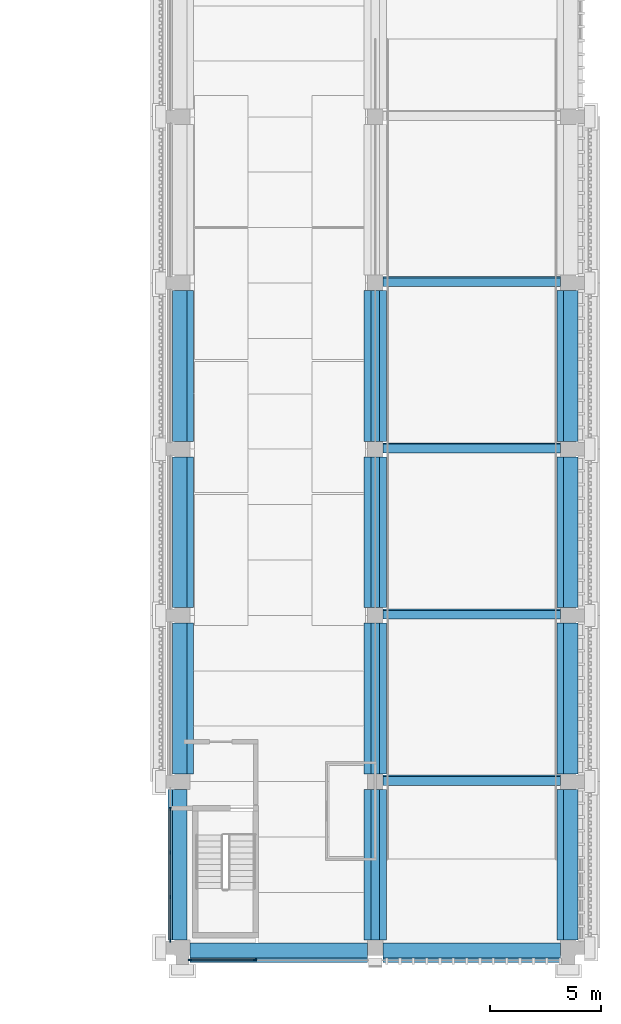
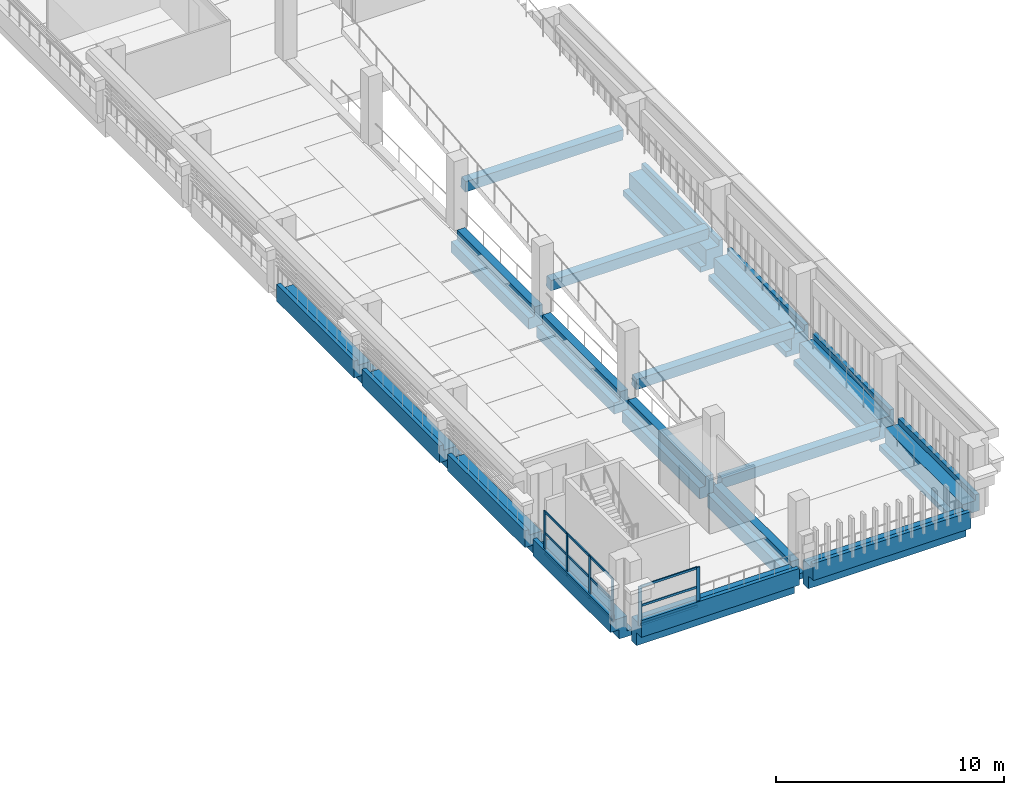
# One storey, part 4 of 25: 18 beams, 18 members, 2 elements without a shape of their own.
"""IFC4 building model written with IfcOpenShell, lengths in metres."""

from ifc_helpers import new_model, si_unit, direction, frame, origin, origin_2d, place, context, subcontext, project, spatial, polyline, rectangle, outline, extrude, material, layer, layer_set, material_profile, profile_set, type_object, element, aggregate, save


model = new_model("IFC4")

# Units and contexts
model_context = context("Model", 3, precision=1e-05, world=origin(), true_north=direction((0.0, 1.0)))
body_context = subcontext(model_context, "Body", "Model", "MODEL_VIEW")
ifc_project = project(units=[si_unit("LENGTHUNIT", "METRE"), si_unit("AREAUNIT", "SQUARE_METRE"), si_unit("VOLUMEUNIT", "CUBIC_METRE"), si_unit("PLANEANGLEUNIT", "RADIAN"), si_unit("MASSUNIT", "GRAM", prefix="KILO")], contexts=[model_context])

# Site, building, storey
site_placement = place(None, origin())
site = spatial("IfcSite", under=ifc_project, at=site_placement, CompositionType="ELEMENT")
building_placement = place(site_placement, origin())
building = spatial("IfcBuilding", under=site, at=building_placement, Name="Cour d'Honneur Mobility Palace", CompositionType="ELEMENT")
storey_placement = place(building_placement, frame((0.0, 0.0, 30.39990234375)))
storey = spatial("IfcBuildingStorey", under=building, at=storey_placement, Name="L08", CompositionType="ELEMENT", Elevation=30.39990234375)

# Curtain wall, members
ifc_material_1 = material(Name="Aluminium and glass", Category="aluminium")
ifc_layer = layer(ifc_material_1, 0.10009765625)
ifc_layer_set = layer_set([ifc_layer], Name="Aluminium and glass")
curtain_wall_type = type_object("IfcCurtainWallType", Name="Curtain wall run", PredefinedType="NOTDEFINED", material=ifc_layer_set)
curtain_wall_1_placement = place(storey_placement, origin())
curtain_wall_1 = element("IfcCurtainWall", 1, at=curtain_wall_1_placement, inside=storey, type_object=curtain_wall_type, Name="Curtain wall CW-149", PredefinedType="NOTDEFINED")
ifc_material_2 = material(Name="Aluminium", Category="aluminium")
ifc_material_profile_1 = material_profile(ifc_material_2, rectangle(XDim=0.06005859375, YDim=0.159912109375, at=origin_2d()), Name="Curtain wall mullion")
ifc_profile_set_1 = profile_set([ifc_material_profile_1], Name="Aluminium")
member_type_1 = type_object("IfcMemberType", Name="Curtain wall mullion", PredefinedType="MULLION", material=ifc_profile_set_1)
member_1_placement = place(storey_placement, frame((145.22998046875, -0.550048828125, 0.0), z_axis=(0.0, 0.0, 1.0), x_axis=(0.0, 1.0, 0.0)))
member_1 = element("IfcMember", 2, at=member_1_placement, type_object=member_type_1, Name="CW-149 mullion 1", PredefinedType="MULLION", context=body_context, shape_type="SweptSolid", body=[
    extrude(rectangle(XDim=0.06005859375, YDim=0.159912109375, at=origin_2d()), origin(), (0.0, 0.0, 1.0), 2.10009765625),
])
member_2_placement = place(storey_placement, frame((148.169921875, -0.550048828125, 0.0), z_axis=(0.0, 0.0, 1.0), x_axis=(0.0, 1.0, 0.0)))
member_2 = element("IfcMember", 3, at=member_2_placement, type_object=member_type_1, Name="CW-149 mullion 2", PredefinedType="MULLION", context=body_context, shape_type="SweptSolid", body=[
    extrude(rectangle(XDim=0.06005859375, YDim=0.159912109375, at=origin_2d()), origin(), (0.0, 0.0, 1.0), 2.10009765625),
])

curtain_wall_2_placement = place(storey_placement, origin())
curtain_wall_2 = element("IfcCurtainWall", 4, at=curtain_wall_2_placement, inside=storey, type_object=curtain_wall_type, Name="Curtain wall CW-150", PredefinedType="NOTDEFINED")
member_3_placement = place(storey_placement, frame((144.35009765625, 6.27001953125, 0.0), z_axis=(0.0, 0.0, 1.0), x_axis=(1.0, 0.0, 0.0)))
member_3 = element("IfcMember", 5, at=member_3_placement, type_object=member_type_1, Name="CW-150 mullion 1", PredefinedType="MULLION", context=body_context, shape_type="SweptSolid", body=[
    extrude(rectangle(XDim=0.06005859375, YDim=0.159912109375, at=origin_2d()), origin(), (0.0, 0.0, 1.0), 2.300048828125),
])
member_4_placement = place(storey_placement, frame((144.35009765625, 4.300048828125, 0.0), z_axis=(0.0, 0.0, 1.0), x_axis=(1.0, 0.0, 0.0)))
member_4 = element("IfcMember", 6, at=member_4_placement, type_object=member_type_1, Name="CW-150 mullion 2", PredefinedType="MULLION", context=body_context, shape_type="SweptSolid", body=[
    extrude(rectangle(XDim=0.06005859375, YDim=0.159912109375, at=origin_2d()), origin(), (0.0, 0.0, 1.0), 2.300048828125),
])
member_5_placement = place(storey_placement, frame((144.35009765625, 2.300048828125, 0.0), z_axis=(0.0, 0.0, 1.0), x_axis=(1.0, 0.0, 0.0)))
member_5 = element("IfcMember", 7, at=member_5_placement, type_object=member_type_1, Name="CW-150 mullion 3", PredefinedType="MULLION", context=body_context, shape_type="SweptSolid", body=[
    extrude(rectangle(XDim=0.06005859375, YDim=0.159912109375, at=origin_2d()), origin(), (0.0, 0.0, 1.0), 2.300048828125),
])
member_6_placement = place(storey_placement, frame((144.35009765625, 0.330078125, 0.0), z_axis=(0.0, 0.0, 1.0), x_axis=(1.0, 0.0, 0.0)))
member_6 = element("IfcMember", 8, at=member_6_placement, type_object=member_type_1, Name="CW-150 mullion 4", PredefinedType="MULLION", context=body_context, shape_type="SweptSolid", body=[
    extrude(rectangle(XDim=0.06005859375, YDim=0.159912109375, at=origin_2d()), origin(), (0.0, 0.0, 1.0), 2.300048828125),
])

# Member
ifc_material_3 = material(Name="Aluminium", Category="aluminium")
ifc_material_profile_2 = material_profile(ifc_material_3, rectangle(XDim=0.06005859375, YDim=0.1201171875, at=origin_2d()), Name="Curtain wall transom")
ifc_profile_set_2 = profile_set([ifc_material_profile_2], Name="Aluminium")
member_type_2 = type_object("IfcMemberType", Name="Curtain wall transom", PredefinedType="USERDEFINED", material=ifc_profile_set_2)
member_7_placement = place(storey_placement, frame((145.260009765625, -0.550048828125, 0.030029296875), z_axis=(1.0, 0.0, 0.0), x_axis=(0.0, 1.0, 0.0)))
member_7 = element("IfcMember", 9, at=member_7_placement, type_object=member_type_2, Name="CW-149 transom 1.1", ObjectType="TRANSOM", PredefinedType="USERDEFINED", context=body_context, shape_type="SweptSolid", body=[
    extrude(rectangle(XDim=0.06005859375, YDim=0.1201171875, at=origin_2d()), origin(), (0.0, 0.0, 1.0), 2.8798828125),
])

member_8_placement = place(storey_placement, frame((145.260009765625, -0.550048828125, 1.050048828125), z_axis=(1.0, 0.0, 0.0), x_axis=(0.0, 1.0, 0.0)))
member_8 = element("IfcMember", 10, at=member_8_placement, type_object=member_type_2, Name="CW-149 transom 1.2", ObjectType="TRANSOM", PredefinedType="USERDEFINED", context=body_context, shape_type="SweptSolid", body=[
    extrude(rectangle(XDim=0.06005859375, YDim=0.1201171875, at=origin_2d()), origin(), (0.0, 0.0, 1.0), 2.8798828125),
])

member_9_placement = place(storey_placement, frame((145.260009765625, -0.550048828125, 2.070068359375), z_axis=(1.0, 0.0, 0.0), x_axis=(0.0, 1.0, 0.0)))
member_9 = element("IfcMember", 11, at=member_9_placement, type_object=member_type_2, Name="CW-149 transom 1.3", ObjectType="TRANSOM", PredefinedType="USERDEFINED", context=body_context, shape_type="SweptSolid", body=[
    extrude(rectangle(XDim=0.06005859375, YDim=0.1201171875, at=origin_2d()), origin(), (0.0, 0.0, 1.0), 2.8798828125),
])

aggregate(curtain_wall_1, [member_1, member_2, member_7, member_8, member_9])

member_10_placement = place(storey_placement, frame((144.35009765625, 6.239990234375, 0.030029296875), z_axis=(0.0, -1.0, 0.0), x_axis=(1.0, 0.0, 0.0)))
member_10 = element("IfcMember", 12, at=member_10_placement, type_object=member_type_2, Name="CW-150 transom 1.1", ObjectType="TRANSOM", PredefinedType="USERDEFINED", context=body_context, shape_type="SweptSolid", body=[
    extrude(rectangle(XDim=0.06005859375, YDim=0.1201171875, at=origin_2d()), origin(), (0.0, 0.0, 1.0), 1.909912109375),
])

member_11_placement = place(storey_placement, frame((144.35009765625, 6.239990234375, 1.150146484375), z_axis=(0.0, -1.0, 0.0), x_axis=(1.0, 0.0, 0.0)))
member_11 = element("IfcMember", 13, at=member_11_placement, type_object=member_type_2, Name="CW-150 transom 1.2", ObjectType="TRANSOM", PredefinedType="USERDEFINED", context=body_context, shape_type="SweptSolid", body=[
    extrude(rectangle(XDim=0.06005859375, YDim=0.1201171875, at=origin_2d()), origin(), (0.0, 0.0, 1.0), 1.909912109375),
])

member_12_placement = place(storey_placement, frame((144.35009765625, 6.239990234375, 2.27001953125), z_axis=(0.0, -1.0, 0.0), x_axis=(1.0, 0.0, 0.0)))
member_12 = element("IfcMember", 14, at=member_12_placement, type_object=member_type_2, Name="CW-150 transom 1.3", ObjectType="TRANSOM", PredefinedType="USERDEFINED", context=body_context, shape_type="SweptSolid", body=[
    extrude(rectangle(XDim=0.06005859375, YDim=0.1201171875, at=origin_2d()), origin(), (0.0, 0.0, 1.0), 1.909912109375),
])

member_13_placement = place(storey_placement, frame((144.35009765625, 4.27001953125, 0.030029296875), z_axis=(0.0, -1.0, 0.0), x_axis=(1.0, 0.0, 0.0)))
member_13 = element("IfcMember", 15, at=member_13_placement, type_object=member_type_2, Name="CW-150 transom 2.1", ObjectType="TRANSOM", PredefinedType="USERDEFINED", context=body_context, shape_type="SweptSolid", body=[
    extrude(rectangle(XDim=0.06005859375, YDim=0.1201171875, at=origin_2d()), origin(), (0.0, 0.0, 1.0), 1.93994140625),
])

member_14_placement = place(storey_placement, frame((144.35009765625, 4.27001953125, 1.150146484375), z_axis=(0.0, -1.0, 0.0), x_axis=(1.0, 0.0, 0.0)))
member_14 = element("IfcMember", 16, at=member_14_placement, type_object=member_type_2, Name="CW-150 transom 2.2", ObjectType="TRANSOM", PredefinedType="USERDEFINED", context=body_context, shape_type="SweptSolid", body=[
    extrude(rectangle(XDim=0.06005859375, YDim=0.1201171875, at=origin_2d()), origin(), (0.0, 0.0, 1.0), 1.93994140625),
])

member_15_placement = place(storey_placement, frame((144.35009765625, 4.27001953125, 2.27001953125), z_axis=(0.0, -1.0, 0.0), x_axis=(1.0, 0.0, 0.0)))
member_15 = element("IfcMember", 17, at=member_15_placement, type_object=member_type_2, Name="CW-150 transom 2.3", ObjectType="TRANSOM", PredefinedType="USERDEFINED", context=body_context, shape_type="SweptSolid", body=[
    extrude(rectangle(XDim=0.06005859375, YDim=0.1201171875, at=origin_2d()), origin(), (0.0, 0.0, 1.0), 1.93994140625),
])

member_16_placement = place(storey_placement, frame((144.35009765625, 2.27001953125, 0.030029296875), z_axis=(0.0, -1.0, 0.0), x_axis=(1.0, 0.0, 0.0)))
member_16 = element("IfcMember", 18, at=member_16_placement, type_object=member_type_2, Name="CW-150 transom 3.1", ObjectType="TRANSOM", PredefinedType="USERDEFINED", context=body_context, shape_type="SweptSolid", body=[
    extrude(rectangle(XDim=0.06005859375, YDim=0.1201171875, at=origin_2d()), origin(), (0.0, 0.0, 1.0), 1.909912109375),
])

member_17_placement = place(storey_placement, frame((144.35009765625, 2.27001953125, 1.150146484375), z_axis=(0.0, -1.0, 0.0), x_axis=(1.0, 0.0, 0.0)))
member_17 = element("IfcMember", 19, at=member_17_placement, type_object=member_type_2, Name="CW-150 transom 3.2", ObjectType="TRANSOM", PredefinedType="USERDEFINED", context=body_context, shape_type="SweptSolid", body=[
    extrude(rectangle(XDim=0.06005859375, YDim=0.1201171875, at=origin_2d()), origin(), (0.0, 0.0, 1.0), 1.909912109375),
])

member_18_placement = place(storey_placement, frame((144.35009765625, 2.27001953125, 2.27001953125), z_axis=(0.0, -1.0, 0.0), x_axis=(1.0, 0.0, 0.0)))
member_18 = element("IfcMember", 20, at=member_18_placement, type_object=member_type_2, Name="CW-150 transom 3.3", ObjectType="TRANSOM", PredefinedType="USERDEFINED", context=body_context, shape_type="SweptSolid", body=[
    extrude(rectangle(XDim=0.06005859375, YDim=0.1201171875, at=origin_2d()), origin(), (0.0, 0.0, 1.0), 1.909912109375),
])

aggregate(curtain_wall_2, [member_3, member_4, member_5, member_6, member_10, member_11, member_12, member_13, member_14, member_15, member_16, member_17, member_18])

# Beams
ifc_material_4 = material(Name="Concrete C45", Category="concrete")
ifc_material_profile_3 = material_profile(ifc_material_4, outline(polyline([(0.22509765625, -1.300048828125), (0.22509765625, 0.0), (-0.22509765625, 0.0), (-0.449951171875, 0.0), (-0.449951171875, 0.300048828125), (-0.64990234375, 0.300048828125), (-0.64990234375, -0.60009765625), (-0.22509765625, -0.60009765625), (-0.22509765625, -1.300048828125), (0.22509765625, -1.300048828125)])), Name="Edge Spandrel Beam 450x1300 no ledge facade right")
ifc_profile_set_3 = profile_set([ifc_material_profile_3], Name="Concrete C45")
beam_type_1 = type_object("IfcBeamType", Name="Edge Spandrel Beam 450x1300 no ledge facade right", PredefinedType="SPANDREL", material=ifc_profile_set_3)
for number, where, z_axis, x_axis, name in (
    (21, (145.25, 0.0, 0.0), (1.0, 0.0, 0.0), (0.0, 1.0, 0.0), "Precast beam B1 19-19A L08"),
    (22, (153.949951171875, 0.0, 0.0), (1.0, 0.0, 0.0), (0.0, 1.0, 0.0), "Precast beam B1 19A-20 L08"),
):
    element("IfcBeam", number, at=place(storey_placement, frame(where, z_axis=z_axis, x_axis=x_axis)), inside=storey, type_object=beam_type_1, Name=name, PredefinedType="SPANDREL", context=body_context, shape_type="SweptSolid", body=[
        extrude(outline(polyline([(0.22509765625, -1.300048828125), (0.22509765625, 0.0), (-0.22509765625, 0.0), (-0.449951171875, 0.0), (-0.449951171875, 0.300048828125), (-0.64990234375, 0.300048828125), (-0.64990234375, -0.60009765625), (-0.22509765625, -0.60009765625), (-0.22509765625, -1.300048828125), (0.22509765625, -1.300048828125)])), origin(), (0.0, 0.0, 1.0), 8.0),
    ])
ifc_material_5 = material(Name="Concrete C45", Category="concrete")
ifc_material_profile_4 = material_profile(ifc_material_5, outline(polyline([(0.5, -1.10009765625), (0.5, -0.5), (0.199951171875, -0.5), (0.199951171875, 0.0), (-0.199951171875, 0.0), (-0.199951171875, -0.800048828125), (-0.5, -0.800048828125), (-0.5, -1.10009765625), (0.5, -1.10009765625)])), Name="Inverted Tee Beam 400x1100 ledges 600/300 plain")
ifc_profile_set_4 = profile_set([ifc_material_profile_4], Name="Concrete C45")
beam_type_2 = type_object("IfcBeamType", Name="Inverted Tee Beam 400x1100 ledges 600/300 plain", PredefinedType="T_BEAM", material=ifc_profile_set_4)
for number, where, z_axis, x_axis, name in (
    (23, (153.60009765625, 7.85009765625, 0.0), (0.0, 1.0, 0.0), (-1.0, 0.0, 0.0), "Precast beam B19 B-C L08"),
    (24, (153.60009765625, 15.35009765625, 0.0), (0.0, 1.0, 0.0), (-1.0, 0.0, 0.0), "Precast beam B19 C-D L08"),
    (25, (153.60009765625, 22.85009765625, 0.0), (0.0, 1.0, 0.0), (-1.0, 0.0, 0.0), "Precast beam B19 D-E L08"),
):
    element("IfcBeam", number, at=place(storey_placement, frame(where, z_axis=z_axis, x_axis=x_axis)), inside=storey, type_object=beam_type_2, Name=name, PredefinedType="T_BEAM", context=body_context, shape_type="SweptSolid", body=[
        extrude(outline(polyline([(0.5, -1.10009765625), (0.5, -0.5), (0.199951171875, -0.5), (0.199951171875, 0.0), (-0.199951171875, 0.0), (-0.199951171875, -0.800048828125), (-0.5, -0.800048828125), (-0.5, -1.10009765625), (0.5, -1.10009765625)])), origin(), (0.0, 0.0, 1.0), 6.7998046875),
    ])
ifc_material_6 = material(Name="Concrete C45", Category="concrete")
ifc_material_profile_5 = material_profile(ifc_material_6, outline(polyline([(0.5, -1.10009765625), (0.5, -0.39990234375), (0.199951171875, -0.39990234375), (0.199951171875, 0.0), (-0.199951171875, 0.0), (-0.199951171875, -0.800048828125), (-0.5, -0.800048828125), (-0.5, -1.10009765625), (0.5, -1.10009765625)])), Name="Inverted Tee Beam 400x1100 ledges 700/300 plain")
ifc_profile_set_5 = profile_set([ifc_material_profile_5], Name="Concrete C45")
beam_type_3 = type_object("IfcBeamType", Name="Inverted Tee Beam 400x1100 ledges 700/300 plain", PredefinedType="T_BEAM", material=ifc_profile_set_5)
beam_1_placement = place(storey_placement, frame((153.60009765625, 0.35009765625, 0.0), z_axis=(0.0, 1.0, 0.0), x_axis=(-1.0, 0.0, 0.0)))
element("IfcBeam", 26, at=beam_1_placement, inside=storey, type_object=beam_type_3, Name="Precast beam B18 A-B L08", PredefinedType="T_BEAM", context=body_context, shape_type="SweptSolid", body=[
    extrude(outline(polyline([(0.5, -1.10009765625), (0.5, -0.39990234375), (0.199951171875, -0.39990234375), (0.199951171875, 0.0), (-0.199951171875, 0.0), (-0.199951171875, -0.800048828125), (-0.5, -0.800048828125), (-0.5, -1.10009765625), (0.5, -1.10009765625)])), origin(), (0.0, 0.0, 1.0), 6.7998046875),
])
ifc_material_7 = material(Name="Concrete C45", Category="concrete")
ifc_material_profile_6 = material_profile(ifc_material_7, outline(polyline([(0.5, -1.10009765625), (0.5, -0.800048828125), (0.199951171875, -0.800048828125), (0.199951171875, 0.0), (-0.199951171875, 0.0), (-0.449951171875, 0.0), (-0.449951171875, 0.300048828125), (-0.64990234375, 0.300048828125), (-0.64990234375, -0.60009765625), (-0.199951171875, -0.60009765625), (-0.199951171875, -1.10009765625), (0.5, -1.10009765625)])), Name="Ledger Beam 400x1100 ledge left 300 facade right")
ifc_profile_set_6 = profile_set([ifc_material_profile_6], Name="Concrete C45")
beam_type_4 = type_object("IfcBeamType", Name="Ledger Beam 400x1100 ledge left 300 facade right", PredefinedType="BEAM", material=ifc_profile_set_6)
for number, where, z_axis, x_axis, name in (
    (27, (162.300048828125, 0.35009765625, 0.0), (0.0, 1.0, 0.0), (-1.0, 0.0, 0.0), "Precast beam B3 A-B L08"),
    (28, (162.300048828125, 7.85009765625, 0.0), (0.0, 1.0, 0.0), (-1.0, 0.0, 0.0), "Precast beam B3 B-C L08"),
    (29, (162.300048828125, 15.35009765625, 0.0), (0.0, 1.0, 0.0), (-1.0, 0.0, 0.0), "Precast beam B3 C-D L08"),
    (30, (162.300048828125, 22.85009765625, 0.0), (0.0, 1.0, 0.0), (-1.0, 0.0, 0.0), "Precast beam B3 D-E L08"),
):
    element("IfcBeam", number, at=place(storey_placement, frame(where, z_axis=z_axis, x_axis=x_axis)), inside=storey, type_object=beam_type_4, Name=name, PredefinedType="BEAM", context=body_context, shape_type="SweptSolid", body=[
        extrude(outline(polyline([(0.5, -1.10009765625), (0.5, -0.800048828125), (0.199951171875, -0.800048828125), (0.199951171875, 0.0), (-0.199951171875, 0.0), (-0.449951171875, 0.0), (-0.449951171875, 0.300048828125), (-0.64990234375, 0.300048828125), (-0.64990234375, -0.60009765625), (-0.199951171875, -0.60009765625), (-0.199951171875, -1.10009765625), (0.5, -1.10009765625)])), origin(), (0.0, 0.0, 1.0), 6.7998046875),
    ])
ifc_material_8 = material(Name="Concrete C45", Category="concrete")
ifc_material_profile_7 = material_profile(ifc_material_8, outline(polyline([(0.199951171875, -1.10009765625), (0.199951171875, -0.60009765625), (0.64990234375, -0.60009765625), (0.64990234375, 0.300048828125), (0.449951171875, 0.300048828125), (0.449951171875, 0.0), (0.199951171875, 0.0), (-0.199951171875, 0.0), (-0.199951171875, -0.800048828125), (-0.5, -0.800048828125), (-0.5, -1.10009765625), (0.199951171875, -1.10009765625)])), Name="Ledger Beam 400x1100 ledge right 300 facade left")
ifc_profile_set_7 = profile_set([ifc_material_profile_7], Name="Concrete C45")
beam_type_5 = type_object("IfcBeamType", Name="Ledger Beam 400x1100 ledge right 300 facade left", PredefinedType="BEAM", material=ifc_profile_set_7)
beam_2_placement = place(storey_placement, frame((144.89990234375, 0.35009765625, 0.0), z_axis=(0.0, 1.0, 0.0), x_axis=(-1.0, 0.0, 0.0)))
element("IfcBeam", 31, at=beam_2_placement, inside=storey, type_object=beam_type_5, Name="Precast beam B6 A-B L08", PredefinedType="BEAM", context=body_context, shape_type="SweptSolid", body=[
    extrude(outline(polyline([(0.199951171875, -1.10009765625), (0.199951171875, -0.60009765625), (0.64990234375, -0.60009765625), (0.64990234375, 0.300048828125), (0.449951171875, 0.300048828125), (0.449951171875, 0.0), (0.199951171875, 0.0), (-0.199951171875, 0.0), (-0.199951171875, -0.800048828125), (-0.5, -0.800048828125), (-0.5, -1.10009765625), (0.199951171875, -1.10009765625)])), origin(), (0.0, 0.0, 1.0), 6.7998046875),
])
ifc_material_9 = material(Name="Concrete C45", Category="concrete")
ifc_material_profile_8 = material_profile(ifc_material_9, outline(polyline([(0.199951171875, -1.10009765625), (0.199951171875, -0.60009765625), (0.64990234375, -0.60009765625), (0.64990234375, 0.300048828125), (0.449951171875, 0.300048828125), (0.449951171875, 0.0), (0.199951171875, 0.0), (-0.199951171875, 0.0), (-0.199951171875, -0.5), (-0.5, -0.5), (-0.5, -1.10009765625), (0.199951171875, -1.10009765625)])), Name="Ledger Beam 400x1100 ledge right 600 facade left")
ifc_profile_set_8 = profile_set([ifc_material_profile_8], Name="Concrete C45")
beam_type_6 = type_object("IfcBeamType", Name="Ledger Beam 400x1100 ledge right 600 facade left", PredefinedType="BEAM", material=ifc_profile_set_8)
for number, where, z_axis, x_axis, name in (
    (32, (144.89990234375, 7.85009765625, 0.0), (0.0, 1.0, 0.0), (-1.0, 0.0, 0.0), "Precast beam B15 B-C L08"),
    (33, (144.89990234375, 15.35009765625, 0.0), (0.0, 1.0, 0.0), (-1.0, 0.0, 0.0), "Precast beam B15 C-D L08"),
    (34, (144.89990234375, 22.85009765625, 0.0), (0.0, 1.0, 0.0), (-1.0, 0.0, 0.0), "Precast beam B15 D-E L08"),
):
    element("IfcBeam", number, at=place(storey_placement, frame(where, z_axis=z_axis, x_axis=x_axis)), inside=storey, type_object=beam_type_6, Name=name, PredefinedType="BEAM", context=body_context, shape_type="SweptSolid", body=[
        extrude(outline(polyline([(0.199951171875, -1.10009765625), (0.199951171875, -0.60009765625), (0.64990234375, -0.60009765625), (0.64990234375, 0.300048828125), (0.449951171875, 0.300048828125), (0.449951171875, 0.0), (0.199951171875, 0.0), (-0.199951171875, 0.0), (-0.199951171875, -0.5), (-0.5, -0.5), (-0.5, -1.10009765625), (0.199951171875, -1.10009765625)])), origin(), (0.0, 0.0, 1.0), 6.7998046875),
    ])
ifc_material_10 = material(Name="Concrete C40", Category="concrete")
ifc_material_profile_9 = material_profile(ifc_material_10, rectangle(XDim=0.39990234375, YDim=0.60009765625, at=origin_2d()), Name="Ramp cross beam 400x600")
ifc_profile_set_9 = profile_set([ifc_material_profile_9], Name="Concrete C40")
beam_type_7 = type_object("IfcBeamType", Name="Ramp cross beam 400x600", PredefinedType="BEAM", material=ifc_profile_set_9)
for number, where, z_axis, x_axis, name in (
    (35, (161.949951171875, 7.559814453125, -0.246826171875), (-1.0, 0.0, 0.0), (0.0, -0.995037190449, -0.099503716633), "Ramp cross beam SE.R8-1"),
    (36, (161.949951171875, 15.059814453125, 0.503173828125), (-1.0, 0.0, 0.0), (0.0, -0.995037190449, -0.099503716633), "Ramp cross beam SE.R8-2"),
    (37, (161.949951171875, 22.559814453125, 1.253173828125), (-1.0, 0.0, 0.0), (0.0, -0.995037190449, -0.099503716633), "Ramp cross beam SE.R8-3"),
    (38, (161.949951171875, 30.059814453125, 2.003173828125), (-1.0, 0.0, 0.0), (0.0, -0.995037190449, -0.099503716633), "Ramp cross beam SE.R8-4"),
):
    element("IfcBeam", number, at=place(storey_placement, frame(where, z_axis=z_axis, x_axis=x_axis)), inside=storey, type_object=beam_type_7, Name=name, PredefinedType="BEAM", context=body_context, shape_type="SweptSolid", body=[
        extrude(rectangle(XDim=0.39990234375, YDim=0.60009765625, at=origin_2d()), origin(), (0.0, 0.0, 1.0), 8.0),
    ])

save(model, "model.ifc")
